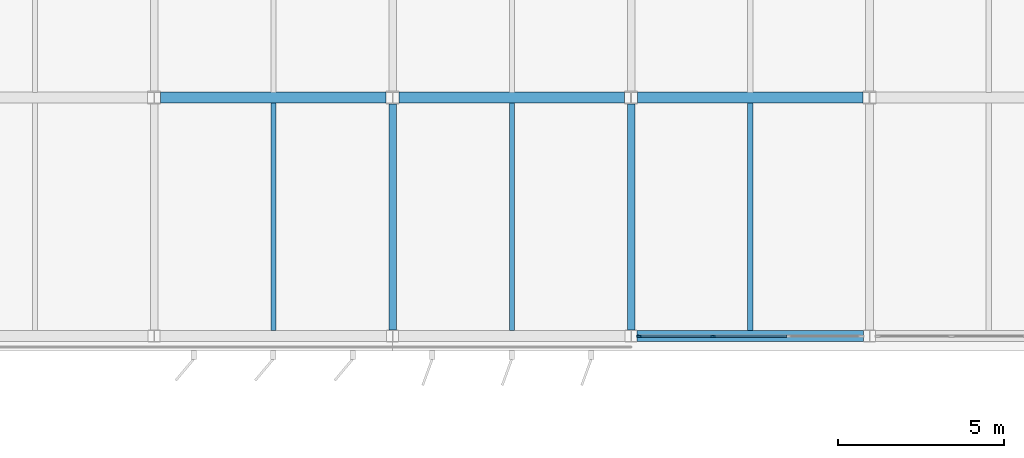
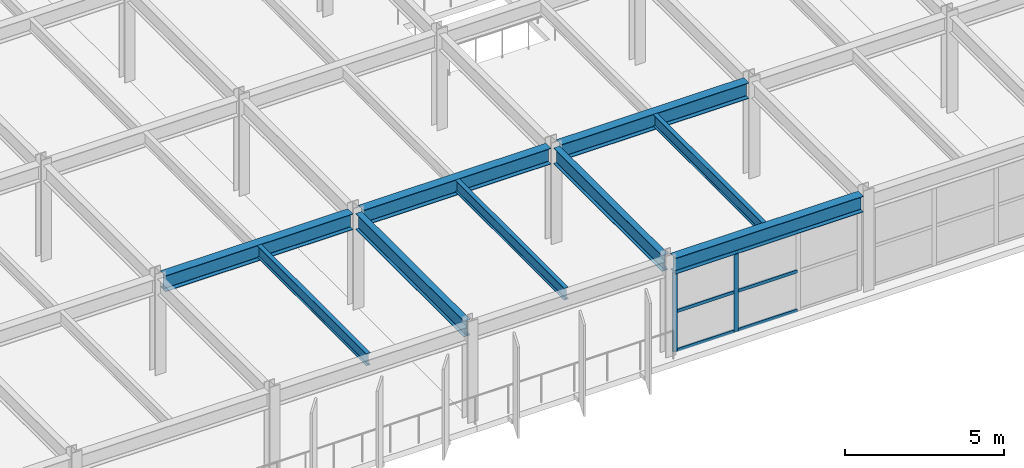
# One storey, part 17 of 80: 9 beams, 8 members, 1 element without a shape of its own.
"""IFC4 building model written with IfcOpenShell, lengths in metres."""

from ifc_helpers import new_model, si_unit, direction, frame, origin, origin_2d, place, context, subcontext, project, spatial, rectangle, i_section, extrude, material, material_profile, profile_set, type_object, element, aggregate, save


model = new_model("IFC4")

# Units and contexts
model_context = context("Model", 3, precision=1e-05, world=origin(), true_north=direction((0.0, 1.0)))
body_context = subcontext(model_context, "Body", "Model", "MODEL_VIEW")
ifc_project = project(units=[si_unit("LENGTHUNIT", "METRE"), si_unit("AREAUNIT", "SQUARE_METRE"), si_unit("VOLUMEUNIT", "CUBIC_METRE"), si_unit("PLANEANGLEUNIT", "RADIAN"), si_unit("MASSUNIT", "GRAM", prefix="KILO")], contexts=[model_context])

# Site, building, storey
site_placement = place(None, origin())
site = spatial("IfcSite", under=ifc_project, at=site_placement, CompositionType="ELEMENT")
building_placement = place(site_placement, origin())
building = spatial("IfcBuilding", under=site, at=building_placement, Name="Vaelcorin Mobility Hub", CompositionType="ELEMENT")
storey_placement = place(building_placement, frame((0.0, 0.0, 9.300048828125)))
storey = spatial("IfcBuildingStorey", under=building, at=storey_placement, Name="L02", CompositionType="ELEMENT", Elevation=9.300048828125)

# Beams
ifc_material_1 = material(Name="Steel ASTM A992 Grade 50", Category="steel")
ifc_material_profile_1 = material_profile(ifc_material_1, i_section(OverallWidth=0.154052734375, OverallDepth=0.45703125, WebThickness=0.009033203125, FlangeThickness=0.015380859375, FilletRadius=0.012939453125, at=origin_2d()), Name="W18X46")
ifc_profile_set_1 = profile_set([ifc_material_profile_1], Name="Steel ASTM A992 Grade 50")
beam_type_1 = type_object("IfcBeamType", Name="BM-W18X46", PredefinedType="JOIST", material=ifc_profile_set_1)
for number, where, z_axis, x_axis, name in (
    (1, (54.0, 76.9599609375, 3.4619140625), (0.0, 1.0, 0.0), (-1.0, 0.0, 0.0), "L02 Beam V4-L02-J-03-01-1"),
    (2, (61.199951171875, 76.9599609375, 3.4619140625), (0.0, 1.0, 0.0), (-1.0, 0.0, 0.0), "L02 Beam V4-L02-J-04-01-1"),
    (3, (68.39990234375, 76.9599609375, 3.4619140625), (0.0, 1.0, 0.0), (-1.0, 0.0, 0.0), "L02 Beam V4-L02-J-05-01-1"),
):
    element("IfcBeam", number, at=place(storey_placement, frame(where, z_axis=z_axis, x_axis=x_axis)), inside=storey, type_object=beam_type_1, Name=name, PredefinedType="JOIST", context=body_context, shape_type="SweptSolid", body=[
        extrude(i_section(OverallWidth=0.154052734375, OverallDepth=0.45703125, WebThickness=0.009033203125, FlangeThickness=0.015380859375, FilletRadius=0.012939453125, at=origin_2d()), origin(), (0.0, 0.0, 1.0), 6.880126953125),
    ])
ifc_material_profile_2 = material_profile(ifc_material_1, i_section(OverallWidth=0.324951171875, OverallDepth=0.612060546875, WebThickness=0.0126953125, FlangeThickness=0.01904296875, FilletRadius=0.014892578125, at=origin_2d()), Name="W24X104")
ifc_profile_set_2 = profile_set([ifc_material_profile_2], Name="Steel ASTM A992 Grade 50")
beam_type_2 = type_object("IfcBeamType", Name="BM-W24X104", PredefinedType="BEAM", material=ifc_profile_set_2)
beam_1_placement = place(storey_placement, frame((64.98388671875, 76.800048828125, 3.384033203125), z_axis=(1.0, 0.0, 0.0), x_axis=(0.0, 1.0, 0.0)))
element("IfcBeam", 4, at=beam_1_placement, inside=storey, type_object=beam_type_2, Name="L02 Beam V4-L02-GX-01-05", PredefinedType="BEAM", context=body_context, shape_type="SweptSolid", body=[
    extrude(i_section(OverallWidth=0.324951171875, OverallDepth=0.612060546875, WebThickness=0.0126953125, FlangeThickness=0.01904296875, FilletRadius=0.014892578125, at=origin_2d()), origin(), (0.0, 0.0, 1.0), 6.83203125),
])
for number, where, z_axis, x_axis, name in (
    (5, (50.595947265625, 84.0, 3.384033203125), (1.0, 0.0, 0.0), (0.0, 1.0, 0.0), "L02 Beam V4-L02-GX-02-03"),
    (6, (57.7958984375, 84.0, 3.384033203125), (1.0, 0.0, 0.0), (0.0, 1.0, 0.0), "L02 Beam V4-L02-GX-02-04"),
):
    element("IfcBeam", number, at=place(storey_placement, frame(where, z_axis=z_axis, x_axis=x_axis)), inside=storey, type_object=beam_type_2, Name=name, PredefinedType="BEAM", context=body_context, shape_type="SweptSolid", body=[
        extrude(i_section(OverallWidth=0.324951171875, OverallDepth=0.612060546875, WebThickness=0.0126953125, FlangeThickness=0.01904296875, FilletRadius=0.014892578125, at=origin_2d()), origin(), (0.0, 0.0, 1.0), 6.80810546875),
    ])
beam_2_placement = place(storey_placement, frame((64.99609375, 84.0, 3.384033203125), z_axis=(1.0, 0.0, 0.0), x_axis=(0.0, 1.0, 0.0)))
element("IfcBeam", 7, at=beam_2_placement, inside=storey, type_object=beam_type_2, Name="L02 Beam V4-L02-GX-02-05", PredefinedType="BEAM", context=body_context, shape_type="SweptSolid", body=[
    extrude(i_section(OverallWidth=0.324951171875, OverallDepth=0.612060546875, WebThickness=0.0126953125, FlangeThickness=0.01904296875, FilletRadius=0.014892578125, at=origin_2d()), origin(), (0.0, 0.0, 1.0), 6.807861328125),
])
ifc_material_profile_3 = material_profile(ifc_material_1, i_section(OverallWidth=0.22900390625, OverallDepth=0.612060546875, WebThickness=0.011962890625, FlangeThickness=0.01953125, FilletRadius=0.014892578125, at=origin_2d()), Name="W24X84")
ifc_profile_set_3 = profile_set([ifc_material_profile_3], Name="Steel ASTM A992 Grade 50")
beam_type_3 = type_object("IfcBeamType", Name="BM-W24X84", PredefinedType="BEAM", material=ifc_profile_set_3)
for number, where, z_axis, x_axis, name in (
    (8, (57.60009765625, 76.98388671875, 3.384033203125), (0.0, 1.0, 0.0), (-1.0, 0.0, 0.0), "L02 Beam V4-L02-GY-04-01"),
    (9, (64.800048828125, 76.98388671875, 3.384033203125), (0.0, 1.0, 0.0), (-1.0, 0.0, 0.0), "L02 Beam V4-L02-GY-05-01"),
):
    element("IfcBeam", number, at=place(storey_placement, frame(where, z_axis=z_axis, x_axis=x_axis)), inside=storey, type_object=beam_type_3, Name=name, PredefinedType="BEAM", context=body_context, shape_type="SweptSolid", body=[
        extrude(i_section(OverallWidth=0.22900390625, OverallDepth=0.612060546875, WebThickness=0.011962890625, FlangeThickness=0.01953125, FilletRadius=0.014892578125, at=origin_2d()), origin(), (0.0, 0.0, 1.0), 6.828125),
    ])

# Curtain wall, members
ifc_material_2 = material(Name="Anodised aluminium 6063-T6", Category="aluminium")
curtain_wall_type = type_object("IfcCurtainWallType", Name="CW-MOB-A", PredefinedType="NOTDEFINED", material=ifc_material_2)
curtain_wall_placement = place(storey_placement, origin())
curtain_wall = element("IfcCurtainWall", 10, at=curtain_wall_placement, inside=storey, type_object=curtain_wall_type, Name="L02 Curtain Wall CW-V4-L02-S-05", PredefinedType="NOTDEFINED")
ifc_material_profile_4 = material_profile(ifc_material_2, rectangle(XDim=0.06005859375, YDim=0.159912109375, at=origin_2d()), Name="ALU-M60X160")
ifc_profile_set_4 = profile_set([ifc_material_profile_4], Name="Anodised aluminium 6063-T6")
member_type_1 = type_object("IfcMemberType", Name="CW-MULL-160", PredefinedType="MULLION", material=ifc_profile_set_4)
member_1_placement = place(storey_placement, frame((67.2734375, 76.800048828125, 0.0), z_axis=(0.0, 0.0, 1.0), x_axis=(0.0, -1.0, 0.0)))
member_1 = element("IfcMember", 11, at=member_1_placement, type_object=member_type_1, Name="CW7 mullion 3", PredefinedType="MULLION", context=body_context, shape_type="SweptSolid", body=[
    extrude(rectangle(XDim=0.06005859375, YDim=0.159912109375, at=origin_2d()), origin(), (0.0, 0.0, 1.0), 3.06298828125),
])
member_2_placement = place(storey_placement, frame((65.050048828125, 76.800048828125, 0.0), z_axis=(0.0, 0.0, 1.0), x_axis=(0.0, -1.0, 0.0)))
member_2 = element("IfcMember", 12, at=member_2_placement, type_object=member_type_1, Name="CW7 mullion 4", PredefinedType="MULLION", context=body_context, shape_type="SweptSolid", body=[
    extrude(rectangle(XDim=0.06005859375, YDim=0.159912109375, at=origin_2d()), origin(), (0.0, 0.0, 1.0), 3.06298828125),
])
ifc_material_profile_5 = material_profile(ifc_material_2, rectangle(XDim=0.06005859375, YDim=0.1201171875, at=origin_2d()), Name="ALU-T60X120")
ifc_profile_set_5 = profile_set([ifc_material_profile_5], Name="Anodised aluminium 6063-T6")
member_type_2 = type_object("IfcMemberType", Name="CW-TRAN-140", PredefinedType="USERDEFINED", material=ifc_profile_set_5)
member_3_placement = place(storey_placement, frame((69.49658203125, 76.800048828125, 0.030029296875), z_axis=(-1.0, 0.0, 0.0), x_axis=(0.0, -1.0, 0.0)))
member_3 = element("IfcMember", 13, at=member_3_placement, type_object=member_type_2, Name="CW7 transom 2.1", ObjectType="TRANSOM", PredefinedType="USERDEFINED", context=body_context, shape_type="SweptSolid", body=[
    extrude(rectangle(XDim=0.06005859375, YDim=0.1201171875, at=origin_2d()), origin(), (0.0, 0.0, 1.0), 2.193359375),
])
member_4_placement = place(storey_placement, frame((69.49658203125, 76.800048828125, 1.531982421875), z_axis=(-1.0, 0.0, 0.0), x_axis=(0.0, -1.0, 0.0)))
member_4 = element("IfcMember", 14, at=member_4_placement, type_object=member_type_2, Name="CW7 transom 2.2", ObjectType="TRANSOM", PredefinedType="USERDEFINED", context=body_context, shape_type="SweptSolid", body=[
    extrude(rectangle(XDim=0.06005859375, YDim=0.1201171875, at=origin_2d()), origin(), (0.0, 0.0, 1.0), 2.193359375),
])
member_5_placement = place(storey_placement, frame((69.49658203125, 76.800048828125, 3.032958984375), z_axis=(-1.0, 0.0, 0.0), x_axis=(0.0, -1.0, 0.0)))
member_5 = element("IfcMember", 15, at=member_5_placement, type_object=member_type_2, Name="CW7 transom 2.3", ObjectType="TRANSOM", PredefinedType="USERDEFINED", context=body_context, shape_type="SweptSolid", body=[
    extrude(rectangle(XDim=0.06005859375, YDim=0.1201171875, at=origin_2d()), origin(), (0.0, 0.0, 1.0), 2.193359375),
])
member_6_placement = place(storey_placement, frame((67.243408203125, 76.800048828125, 0.030029296875), z_axis=(-1.0, 0.0, 0.0), x_axis=(0.0, -1.0, 0.0)))
member_6 = element("IfcMember", 16, at=member_6_placement, type_object=member_type_2, Name="CW7 transom 3.1", ObjectType="TRANSOM", PredefinedType="USERDEFINED", context=body_context, shape_type="SweptSolid", body=[
    extrude(rectangle(XDim=0.06005859375, YDim=0.1201171875, at=origin_2d()), origin(), (0.0, 0.0, 1.0), 2.163330078125),
])
member_7_placement = place(storey_placement, frame((67.243408203125, 76.800048828125, 1.531982421875), z_axis=(-1.0, 0.0, 0.0), x_axis=(0.0, -1.0, 0.0)))
member_7 = element("IfcMember", 17, at=member_7_placement, type_object=member_type_2, Name="CW7 transom 3.2", ObjectType="TRANSOM", PredefinedType="USERDEFINED", context=body_context, shape_type="SweptSolid", body=[
    extrude(rectangle(XDim=0.06005859375, YDim=0.1201171875, at=origin_2d()), origin(), (0.0, 0.0, 1.0), 2.163330078125),
])
member_8_placement = place(storey_placement, frame((67.243408203125, 76.800048828125, 3.032958984375), z_axis=(-1.0, 0.0, 0.0), x_axis=(0.0, -1.0, 0.0)))
member_8 = element("IfcMember", 18, at=member_8_placement, type_object=member_type_2, Name="CW7 transom 3.3", ObjectType="TRANSOM", PredefinedType="USERDEFINED", context=body_context, shape_type="SweptSolid", body=[
    extrude(rectangle(XDim=0.06005859375, YDim=0.1201171875, at=origin_2d()), origin(), (0.0, 0.0, 1.0), 2.163330078125),
])
aggregate(curtain_wall, [member_1, member_2, member_3, member_4, member_5, member_6, member_7, member_8])

save(model, "model.ifc")
